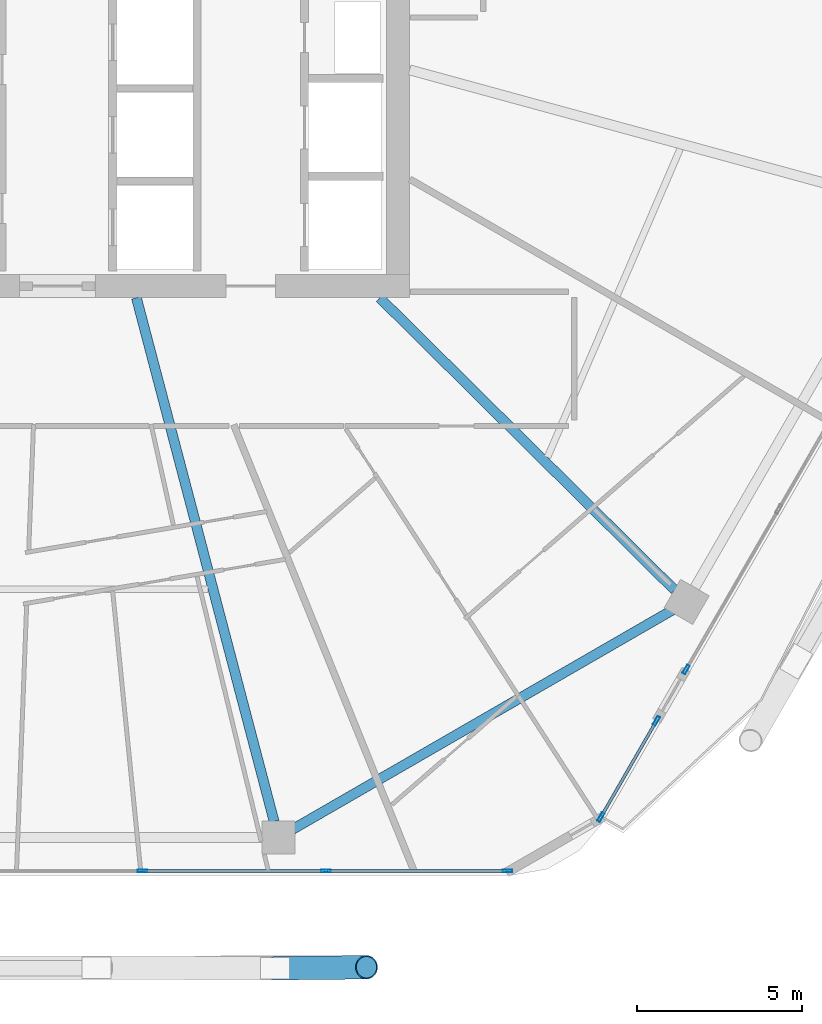
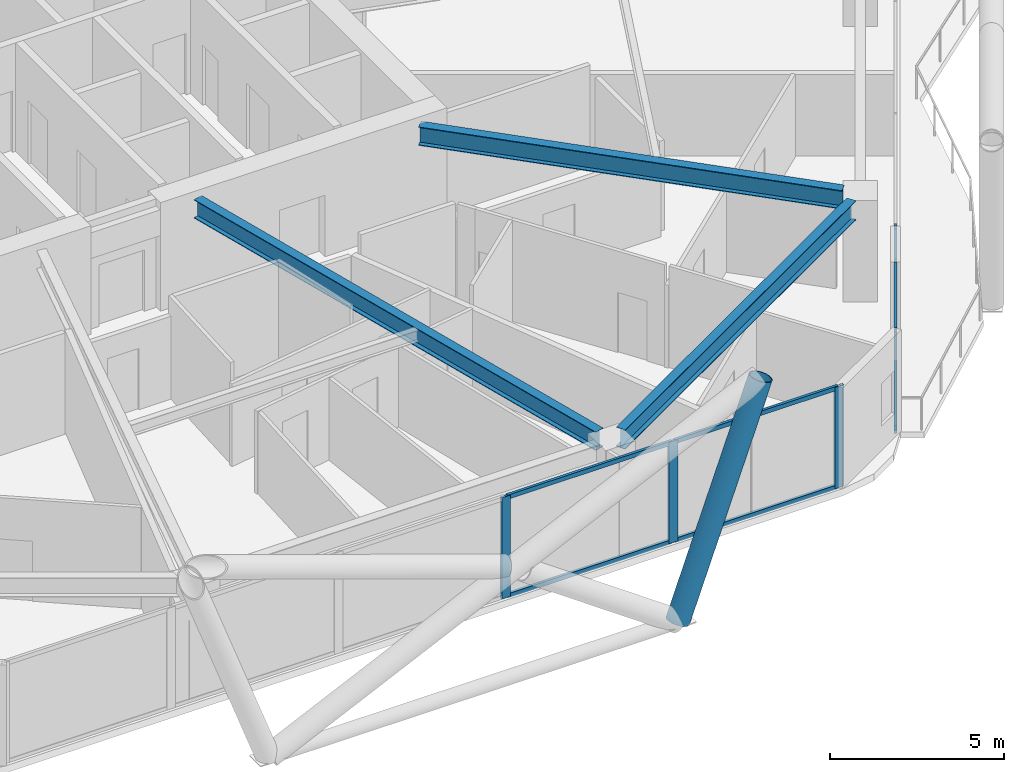
# One storey, part 7 of 28: 13 members, 3 beams, 3 elements without a shape of their own.
"""IFC4 building model written with IfcOpenShell, lengths in metres."""

from ifc_helpers import new_model, si_unit, direction, frame, origin, origin_2d, place, context, subcontext, project, spatial, hollow_rectangle, hollow_circle, i_section, extrude, material, material_profile, profile_set, type_object, element, aggregate, save


model = new_model("IFC4")

# Units and contexts
model_context = context("Model", 3, precision=1e-05, world=origin(), true_north=direction((0.0, 1.0)))
body_context = subcontext(model_context, "Body", "Model", "MODEL_VIEW")
ifc_project = project(units=[si_unit("LENGTHUNIT", "METRE"), si_unit("AREAUNIT", "SQUARE_METRE"), si_unit("VOLUMEUNIT", "CUBIC_METRE"), si_unit("PLANEANGLEUNIT", "RADIAN"), si_unit("MASSUNIT", "GRAM", prefix="KILO")], contexts=[model_context])

# Site, building, storey
site_placement = place(None, origin())
site = spatial("IfcSite", under=ifc_project, at=site_placement, CompositionType="ELEMENT")
building_placement = place(site_placement, origin())
building = spatial("IfcBuilding", under=site, at=building_placement, Name="Zuhravey Tower", CompositionType="ELEMENT")
storey_placement = place(building_placement, frame((0.0, 0.0, 154.199951171875)))
storey = spatial("IfcBuildingStorey", under=building, at=storey_placement, Name="L38", CompositionType="ELEMENT", Elevation=154.199951171875)

# Curtain wall, member
ifc_material_1 = material(Name="Thermally broken anodised aluminium", Category="aluminium")
curtain_wall_type = type_object("IfcCurtainWallType", Name="Zone 1-2 Residential Curtain Wall CW3", PredefinedType="NOTDEFINED", material=ifc_material_1)
curtain_wall_1_placement = place(storey_placement, origin())
curtain_wall_1 = element("IfcCurtainWall", 1, at=curtain_wall_1_placement, inside=storey, type_object=curtain_wall_type, Name="L38 CW3 CW-L38-F6-1", PredefinedType="NOTDEFINED")
ifc_material_2 = material(Name="Anodised aluminium", Category="aluminium")
ifc_material_profile_1 = material_profile(ifc_material_2, hollow_rectangle(XDim=0.090087890625, YDim=0.284912109375, WallThickness=0.0048828125, at=origin_2d()), Name="ALU-RHS-90x285x5")
ifc_profile_set_1 = profile_set([ifc_material_profile_1], Name="Anodised aluminium")
member_type_1 = type_object("IfcMemberType", Name="Curtain-Wall Mullion 90x180", PredefinedType="MULLION", material=ifc_profile_set_1)
member_1_placement = place(storey_placement, frame((55.21044921875, 10.9072265625, 0.0), z_axis=(0.0, 0.0, 1.0), x_axis=(0.866024427751, -0.500001690536, 0.0)))
member_1 = element("IfcMember", 2, at=member_1_placement, type_object=member_type_1, Name="CW3 mullion 5", PredefinedType="MULLION", context=body_context, shape_type="SweptSolid", body=[
    extrude(hollow_rectangle(XDim=0.090087890625, YDim=0.284912109375, WallThickness=0.0048828125, at=origin_2d()), origin(), (0.0, 0.0, 1.0), 3.550048828125),
])
aggregate(curtain_wall_1, [member_1])

# Curtain wall, members
curtain_wall_2_placement = place(storey_placement, origin())
curtain_wall_2 = element("IfcCurtainWall", 3, at=curtain_wall_2_placement, inside=storey, type_object=curtain_wall_type, Name="L38 CW3 CW-L38-F6-2", PredefinedType="NOTDEFINED")
member_2_placement = place(storey_placement, frame((54.3154296875, 9.357177734375, 0.0), z_axis=(0.0, 0.0, 1.0), x_axis=(0.86603277419, -0.499987233866, 0.0)))
member_2 = element("IfcMember", 4, at=member_2_placement, type_object=member_type_1, Name="CW3 mullion 1", PredefinedType="MULLION", context=body_context, shape_type="SweptSolid", body=[
    extrude(hollow_rectangle(XDim=0.090087890625, YDim=0.284912109375, WallThickness=0.0048828125, at=origin_2d()), origin(), (0.0, 0.0, 1.0), 3.550048828125),
])
member_3_placement = place(storey_placement, frame((52.63330078125, 6.443359375, 0.0), z_axis=(0.0, 0.0, 1.0), x_axis=(0.86603277419, -0.499987233866, 0.0)))
member_3 = element("IfcMember", 5, at=member_3_placement, type_object=member_type_1, Name="CW3 mullion 2", PredefinedType="MULLION", context=body_context, shape_type="SweptSolid", body=[
    extrude(hollow_rectangle(XDim=0.090087890625, YDim=0.284912109375, WallThickness=0.0048828125, at=origin_2d()), origin(), (0.0, 0.0, 1.0), 3.550048828125),
])

curtain_wall_3_placement = place(storey_placement, origin())
curtain_wall_3 = element("IfcCurtainWall", 6, at=curtain_wall_3_placement, inside=storey, type_object=curtain_wall_type, Name="L38 CW3 CW-L38-F5-1", PredefinedType="NOTDEFINED")
member_4_placement = place(storey_placement, frame((49.816162109375, 4.81689453125, 0.0), z_axis=(0.0, 0.0, 1.0), x_axis=(0.0, -1.0, 0.0)))
member_4 = element("IfcMember", 7, at=member_4_placement, type_object=member_type_1, Name="CW3 mullion 1", PredefinedType="MULLION", context=body_context, shape_type="SweptSolid", body=[
    extrude(hollow_rectangle(XDim=0.090087890625, YDim=0.284912109375, WallThickness=0.0048828125, at=origin_2d()), origin(), (0.0, 0.0, 1.0), 3.550048828125),
])
member_5_placement = place(storey_placement, frame((44.316650390625, 4.81689453125, 0.0), z_axis=(0.0, 0.0, 1.0), x_axis=(0.0, -1.0, 0.0)))
member_5 = element("IfcMember", 8, at=member_5_placement, type_object=member_type_1, Name="CW3 mullion 2", PredefinedType="MULLION", context=body_context, shape_type="SweptSolid", body=[
    extrude(hollow_rectangle(XDim=0.090087890625, YDim=0.284912109375, WallThickness=0.0048828125, at=origin_2d()), origin(), (0.0, 0.0, 1.0), 3.550048828125),
])
member_6_placement = place(storey_placement, frame((38.772216796875, 4.81689453125, 0.0), z_axis=(0.0, 0.0, 1.0), x_axis=(0.0, -1.0, 0.0)))
member_6 = element("IfcMember", 9, at=member_6_placement, type_object=member_type_1, Name="CW3 mullion 3", PredefinedType="MULLION", context=body_context, shape_type="SweptSolid", body=[
    extrude(hollow_rectangle(XDim=0.090087890625, YDim=0.284912109375, WallThickness=0.0048828125, at=origin_2d()), origin(), (0.0, 0.0, 1.0), 3.550048828125),
])

# Member
ifc_material_profile_2 = material_profile(ifc_material_2, hollow_rectangle(XDim=0.090087890625, YDim=0.14990234375, WallThickness=0.0048828125, at=origin_2d()), Name="ALU-RHS-90x150x5")
ifc_profile_set_2 = profile_set([ifc_material_profile_2], Name="Anodised aluminium")
member_type_2 = type_object("IfcMemberType", Name="Curtain-Wall Transom 90x150", PredefinedType="USERDEFINED", material=ifc_profile_set_2)
member_7_placement = place(storey_placement, frame((54.29296875, 9.318115234375, 0.045166015625), z_axis=(-0.500004284815, -0.866022929931, 0.0), x_axis=(0.866022929931, -0.500004284815, 0.0)))
member_7 = element("IfcMember", 10, at=member_7_placement, type_object=member_type_2, Name="CW3 transom 1.1", ObjectType="TRANSOM", PredefinedType="USERDEFINED", context=body_context, shape_type="SweptSolid", body=[
    extrude(hollow_rectangle(XDim=0.090087890625, YDim=0.14990234375, WallThickness=0.0048828125, at=origin_2d()), origin(), (0.0, 0.0, 1.0), 3.2744140625),
])

member_8_placement = place(storey_placement, frame((54.29296875, 9.318115234375, 3.505126953125), z_axis=(-0.500004284815, -0.866022929931, 0.0), x_axis=(0.866022929931, -0.500004284815, 0.0)))
member_8 = element("IfcMember", 11, at=member_8_placement, type_object=member_type_2, Name="CW3 transom 1.2", ObjectType="TRANSOM", PredefinedType="USERDEFINED", context=body_context, shape_type="SweptSolid", body=[
    extrude(hollow_rectangle(XDim=0.090087890625, YDim=0.14990234375, WallThickness=0.0048828125, at=origin_2d()), origin(), (0.0, 0.0, 1.0), 3.2744140625),
])

aggregate(curtain_wall_2, [member_2, member_3, member_7, member_8])

member_9_placement = place(storey_placement, frame((49.77099609375, 4.81689453125, 0.045166015625), z_axis=(-1.0, 0.0, 0.0), x_axis=(0.0, -1.0, 0.0)))
member_9 = element("IfcMember", 12, at=member_9_placement, type_object=member_type_2, Name="CW3 transom 1.1", ObjectType="TRANSOM", PredefinedType="USERDEFINED", context=body_context, shape_type="SweptSolid", body=[
    extrude(hollow_rectangle(XDim=0.090087890625, YDim=0.14990234375, WallThickness=0.0048828125, at=origin_2d()), origin(), (0.0, 0.0, 1.0), 5.409423828125),
])

member_10_placement = place(storey_placement, frame((49.77099609375, 4.81689453125, 3.505126953125), z_axis=(-1.0, 0.0, 0.0), x_axis=(0.0, -1.0, 0.0)))
member_10 = element("IfcMember", 13, at=member_10_placement, type_object=member_type_2, Name="CW3 transom 1.2", ObjectType="TRANSOM", PredefinedType="USERDEFINED", context=body_context, shape_type="SweptSolid", body=[
    extrude(hollow_rectangle(XDim=0.090087890625, YDim=0.14990234375, WallThickness=0.0048828125, at=origin_2d()), origin(), (0.0, 0.0, 1.0), 5.409423828125),
])

member_11_placement = place(storey_placement, frame((44.271728515625, 4.81689453125, 0.045166015625), z_axis=(-1.0, 0.0, 0.0), x_axis=(0.0, -1.0, 0.0)))
member_11 = element("IfcMember", 14, at=member_11_placement, type_object=member_type_2, Name="CW3 transom 2.1", ObjectType="TRANSOM", PredefinedType="USERDEFINED", context=body_context, shape_type="SweptSolid", body=[
    extrude(hollow_rectangle(XDim=0.090087890625, YDim=0.14990234375, WallThickness=0.0048828125, at=origin_2d()), origin(), (0.0, 0.0, 1.0), 5.45458984375),
])

member_12_placement = place(storey_placement, frame((44.271728515625, 4.81689453125, 3.505126953125), z_axis=(-1.0, 0.0, 0.0), x_axis=(0.0, -1.0, 0.0)))
member_12 = element("IfcMember", 15, at=member_12_placement, type_object=member_type_2, Name="CW3 transom 2.2", ObjectType="TRANSOM", PredefinedType="USERDEFINED", context=body_context, shape_type="SweptSolid", body=[
    extrude(hollow_rectangle(XDim=0.090087890625, YDim=0.14990234375, WallThickness=0.0048828125, at=origin_2d()), origin(), (0.0, 0.0, 1.0), 5.45458984375),
])

aggregate(curtain_wall_3, [member_4, member_5, member_6, member_9, member_10, member_11, member_12])

ifc_material_3 = material(Name="Steel SM460", Category="steel")
ifc_material_profile_3 = material_profile(ifc_material_3, hollow_circle(Radius=0.355712890625, WallThickness=0.031982421875, at=origin_2d()), Name="CHS-711.2x32")
ifc_profile_set_3 = profile_set([ifc_material_profile_3], Name="Steel SM460")
member_type_3 = type_object("IfcMemberType", Name="Exoskeleton Zone 2 Diagrid CHS711x32", PredefinedType="BRACE", material=ifc_profile_set_3)
member_13_placement = place(storey_placement, frame((42.788330078125, 1.876953125, -0.44384765625), z_axis=(0.342865815458, 0.003701082064, 0.939377099243), x_axis=(-0.010793920789, 0.99994174394, 0.0)))
element("IfcMember", 16, at=member_13_placement, inside=storey, type_object=member_type_3, Name="L38 Face 5 Diagrid Brace 4", PredefinedType="BRACE", context=body_context, shape_type="SweptSolid", body=[
    extrude(hollow_circle(Radius=0.355712890625, WallThickness=0.031982421875, at=origin_2d()), origin(), (0.0, 0.0, 1.0), 8.047607421875),
])

# Beams
ifc_material_4 = material(Name="Steel SM355", Category="steel")
ifc_material_profile_4 = material_profile(ifc_material_4, i_section(OverallWidth=0.300048828125, OverallDepth=0.679931640625, WebThickness=0.012939453125, FlangeThickness=0.02197265625, at=origin_2d()), Name="H-680x300x13x22")
ifc_profile_set_4 = profile_set([ifc_material_profile_4], Name="Steel SM355")
beam_type_1 = type_object("IfcBeamType", Name="Perimeter Ring Beam H680x300", PredefinedType="BEAM", material=ifc_profile_set_4)
beam_1_placement = place(storey_placement, frame((43.317626953125, 6.078369140625, 3.2099609375), z_axis=(0.866022923061, 0.500004296715, 0.0), x_axis=(-0.500004296715, 0.866022923061, 0.0)))
element("IfcBeam", 17, at=beam_1_placement, inside=storey, type_object=beam_type_1, Name="L38 PB2 BM-L38-PB-10", PredefinedType="BEAM", context=body_context, shape_type="SweptSolid", body=[
    extrude(i_section(OverallWidth=0.300048828125, OverallDepth=0.679931640625, WebThickness=0.012939453125, FlangeThickness=0.02197265625, at=origin_2d()), origin(), (0.0, 0.0, 1.0), 13.2470703125),
])
ifc_material_profile_5 = material_profile(ifc_material_4, i_section(OverallWidth=0.300048828125, OverallDepth=0.64990234375, WebThickness=0.012939453125, FlangeThickness=0.02197265625, at=origin_2d()), Name="H-650x300x13x22")
ifc_profile_set_5 = profile_set([ifc_material_profile_5], Name="Steel SM355")
beam_type_2 = type_object("IfcBeamType", Name="Radial Primary Girder H650x300", PredefinedType="BEAM", material=ifc_profile_set_5)
beam_2_placement = place(storey_placement, frame((38.5908203125, 22.14697265625, 3.22509765625), z_axis=(0.254300244998, -0.967125320418, 0.0), x_axis=(0.967125320418, 0.254300244998, 0.0)))
element("IfcBeam", 18, at=beam_2_placement, inside=storey, type_object=beam_type_2, Name="L38 RG2 BM-L38-RAD-10", PredefinedType="BEAM", context=body_context, shape_type="SweptSolid", body=[
    extrude(i_section(OverallWidth=0.300048828125, OverallDepth=0.64990234375, WebThickness=0.012939453125, FlangeThickness=0.02197265625, at=origin_2d()), origin(), (0.0, 0.0, 1.0), 16.371826171875),
])
beam_3_placement = place(storey_placement, frame((45.945556640625, 22.14697265625, 3.22509765625), z_axis=(0.71040353357, -0.703794586148, 0.0), x_axis=(0.703794586148, 0.71040353357, 0.0)))
element("IfcBeam", 19, at=beam_3_placement, inside=storey, type_object=beam_type_2, Name="L38 RG2 BM-L38-RAD-11", PredefinedType="BEAM", context=body_context, shape_type="SweptSolid", body=[
    extrude(i_section(OverallWidth=0.300048828125, OverallDepth=0.64990234375, WebThickness=0.012939453125, FlangeThickness=0.02197265625, at=origin_2d()), origin(), (0.0, 0.0, 1.0), 12.559814453125),
])

save(model, "model.ifc")
